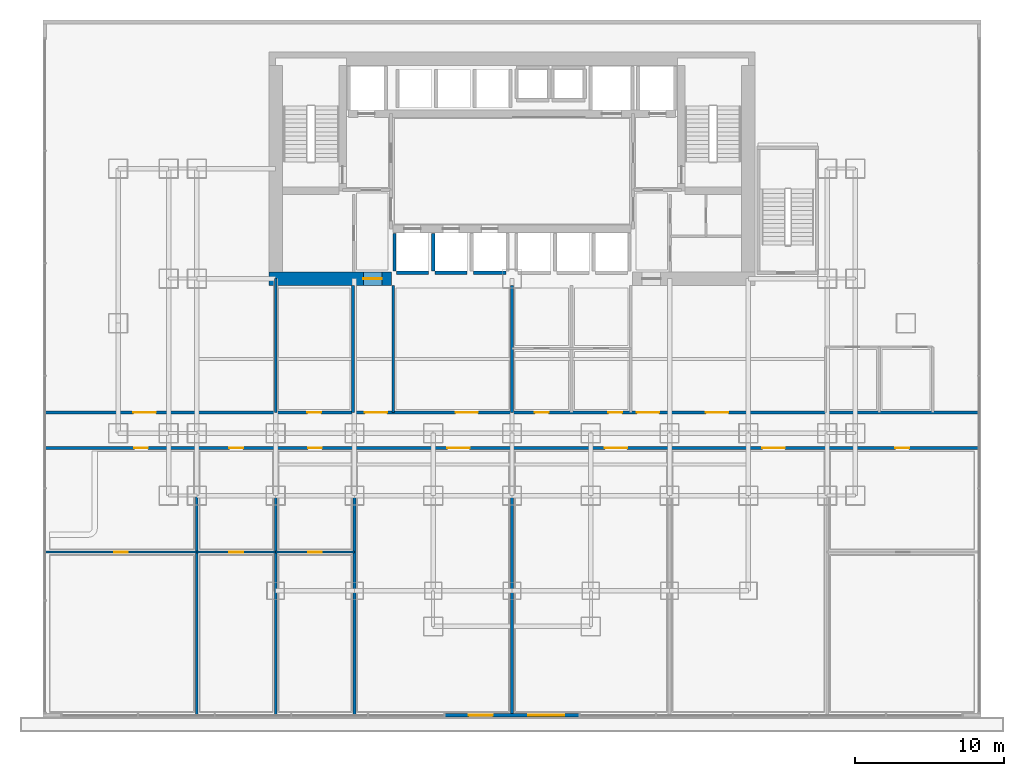
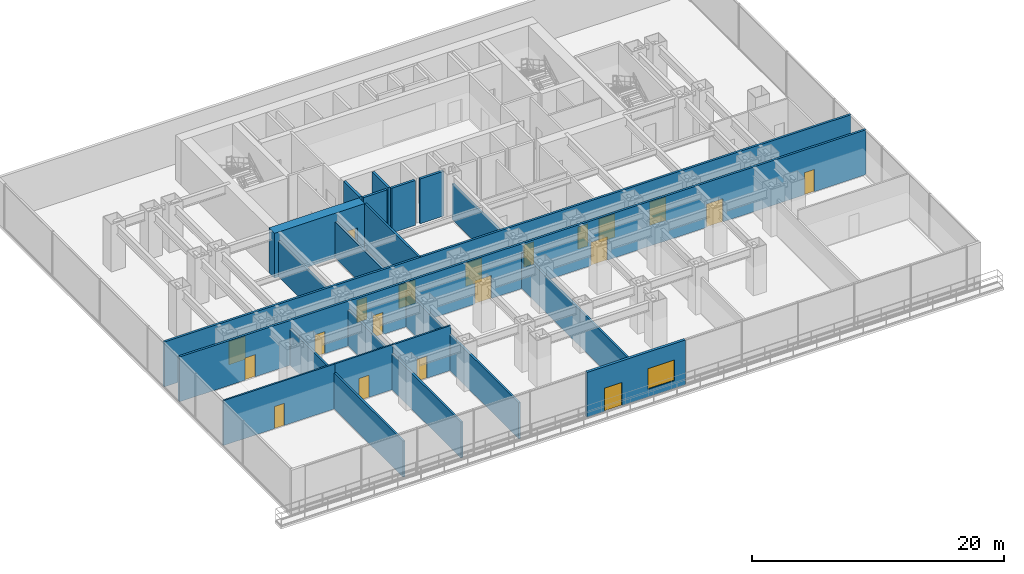
# One storey, part 8 of 13: 20 doors, 20 walls, 1 window, 21 openings.
"""IFC4 building model written with IfcOpenShell, lengths in metres."""

from ifc_helpers import new_model, si_unit, direction, frame, frame_2d, origin, place, context, subcontext, project, spatial, rectangle, extrude, material, layer, layer_set, type_object, element, fill, save


model = new_model("IFC4")

# Units and contexts
model_context = context("Model", 3, precision=1e-05, world=origin(), true_north=direction((0.0, 1.0)))
body_context = subcontext(model_context, "Body", "Model", "MODEL_VIEW")
ifc_project = project(units=[si_unit("LENGTHUNIT", "METRE"), si_unit("AREAUNIT", "SQUARE_METRE"), si_unit("VOLUMEUNIT", "CUBIC_METRE"), si_unit("PLANEANGLEUNIT", "RADIAN"), si_unit("MASSUNIT", "GRAM", prefix="KILO")], contexts=[model_context])

# Site, building, storey
site_placement = place(None, origin())
site = spatial("IfcSite", under=ifc_project, at=site_placement, CompositionType="ELEMENT")
building_placement = place(site_placement, origin())
building = spatial("IfcBuilding", under=site, at=building_placement, Name="Qianlan Lanfeng Residences", CompositionType="ELEMENT")
storey_placement = place(building_placement, frame((0.0, 0.0, 14.39990234375)))
storey = spatial("IfcBuildingStorey", under=building, at=storey_placement, Name="L03", CompositionType="ELEMENT", Elevation=14.39990234375)

# Wall, opening, door
ifc_material_1 = material(Name="Concrete C70", Category="concrete")
ifc_layer_1 = layer(ifc_material_1, 0.89990234375)
ifc_layer_set_1 = layer_set([ifc_layer_1], Name="Concrete C70")
wall_type_1 = type_object("IfcWallType", Name="CW-RC-900", PredefinedType="SHEAR", material=ifc_layer_set_1)
wall_1_placement = place(storey_placement, frame((10.14990234375, 25.199951171875, 0.0), z_axis=(0.0, 0.0, 1.0), x_axis=(1.0, 0.0, 0.0)))
wall_1 = element("IfcWall", 1, at=wall_1_placement, inside=storey, type_object=wall_type_1, Name="L03 Core Shear Wall SW", PredefinedType="SHEAR", context=body_context, shape_type="SweptSolid", body=[
    extrude(rectangle(XDim=8.25, YDim=0.89990234375, at=frame_2d((4.125, 0.0))), origin(), (0.0, 0.0, 1.0), 4.340087890625),
])
opening_1_placement = place(wall_1_placement, frame((6.35009765625, 0.0, 0.0)))
opening_1 = element("IfcOpeningElement", 2, at=opening_1_placement, cuts=wall_1, Name="Opening L03-D01", PredefinedType="OPENING", context=body_context, shape_type="SweptSolid", body=[
    extrude(rectangle(XDim=1.25, YDim=2.199951171875, at=frame_2d((0.625, 1.10009765625))), frame((0.0, 0.4599609375, 0.0), z_axis=(0.0, -1.0, 0.0), x_axis=(1.0, 0.0, 0.0)), (0.0, 0.0, 1.0), 0.919921875),
])
ifc_material_2 = material(Name="Painted Galvanised Steel Fire Door", Category="steel")
door_type_1 = type_object("IfcDoorType", Name="DT-FFL", OperationType="NOTDEFINED", PredefinedType="DOOR", material=ifc_material_2)
door_1_placement = place(opening_1_placement, frame((1.25, 0.0, 0.0), z_axis=(0.0, 0.0, 1.0), x_axis=(-1.0, 0.0, 0.0)))
door_1 = element("IfcDoor", 3, at=door_1_placement, inside=storey, type_object=door_type_1, Name="L03 West Core Lobby Smoke Door L03-D01 (DT-FFL)", OperationType="SINGLE_SWING_RIGHT", OverallHeight=2.199951171875, OverallWidth=1.25, PredefinedType="DOOR", context=body_context, shape_type="SweptSolid", body=[
    extrude(rectangle(XDim=1.25, YDim=2.199951171875, at=frame_2d((0.625, 1.10009765625))), frame((0.0, 0.02490234375, 0.0), z_axis=(0.0, -1.0, 0.0), x_axis=(1.0, 0.0, 0.0)), (0.0, 0.0, 1.0), 0.050048828125),
])
fill(opening_1, door_1)

# Wall, openings, door, window
ifc_material_3 = material(Name="Concrete C42", Category="concrete")
ifc_layer_2 = layer(ifc_material_3, 0.239990234375)
ifc_layer_set_2 = layer_set([ifc_layer_2], Name="Concrete C42")
wall_type_2 = type_object("IfcWallType", Name="EW-240", PredefinedType="SOLIDWALL", material=ifc_layer_set_2)
wall_2_placement = place(storey_placement, frame((22.0, -4.179931640625, 0.0), z_axis=(0.0, 0.0, 1.0), x_axis=(1.0, 0.0, 0.0)))
wall_2 = element("IfcWall", 4, at=wall_2_placement, inside=storey, type_object=wall_type_2, Name="L03 South Terrace Access Exterior Wall", PredefinedType="SOLIDWALL", context=body_context, shape_type="SweptSolid", body=[
    extrude(rectangle(XDim=9.0, YDim=0.239990234375, at=frame_2d((4.5, 0.0))), origin(), (0.0, 0.0, 1.0), 4.340087890625),
])
opening_2_placement = place(wall_2_placement, frame((1.60009765625, 0.0, 0.0)))
opening_2 = element("IfcOpeningElement", 5, at=opening_2_placement, cuts=wall_2, Name="Opening L03-D-TER1", PredefinedType="OPENING", context=body_context, shape_type="SweptSolid", body=[
    extrude(rectangle(XDim=1.60009765625, YDim=2.25, at=frame_2d((0.800048828125, 1.125))), frame((0.0, 0.1298828125, 0.0), z_axis=(0.0, -1.0, 0.0), x_axis=(1.0, 0.0, 0.0)), (0.0, 0.0, 1.0), 0.260009765625),
])
opening_3_placement = place(wall_2_placement, frame((5.60009765625, 0.0, 0.75)))
opening_3 = element("IfcOpeningElement", 6, at=opening_3_placement, cuts=wall_2, Name="Opening W-05", PredefinedType="OPENING", context=body_context, shape_type="SweptSolid", body=[
    extrude(rectangle(XDim=2.39990234375, YDim=2.0, at=frame_2d((1.199951171875, 1.0))), frame((0.0, 0.1298828125, 0.0), z_axis=(0.0, -1.0, 0.0), x_axis=(1.0, 0.0, 0.0)), (0.0, 0.0, 1.0), 0.260009765625),
])
ifc_material_4 = material(Name="Anodised Bronze Aluminium Framed Glass", Category="aluminium")
door_type_2 = type_object("IfcDoorType", Name="DT-TER1", OperationType="NOTDEFINED", PredefinedType="DOOR", material=ifc_material_4)
door_2_placement = place(opening_2_placement, frame((1.60009765625, 0.0, 0.0), z_axis=(0.0, 0.0, 1.0), x_axis=(-1.0, 0.0, 0.0)))
door_2 = element("IfcDoor", 7, at=door_2_placement, inside=storey, type_object=door_type_2, Name="L03 Planted Podium Terrace Door", OperationType="DOUBLE_DOOR_SINGLE_SWING", OverallHeight=2.25, OverallWidth=1.60009765625, PredefinedType="DOOR", context=body_context, shape_type="SweptSolid", body=[
    extrude(rectangle(XDim=1.60009765625, YDim=2.25, at=frame_2d((0.800048828125, 1.125))), frame((0.0, 0.02490234375, 0.0), z_axis=(0.0, -1.0, 0.0), x_axis=(1.0, 0.0, 0.0)), (0.0, 0.0, 1.0), 0.050048828125),
])
fill(opening_2, door_2)
ifc_material_5 = material(Name="Anodised Bronze Aluminium Framed Double Glazing", Category="aluminium")
window_type = type_object("IfcWindowType", Name="W-05", PartitioningType="SINGLE_PANEL", PredefinedType="WINDOW", material=ifc_material_5)
window_placement = place(opening_3_placement, origin())
window = element("IfcWindow", 8, at=window_placement, inside=storey, type_object=window_type, Name="L03 Podium Feature Window", OverallHeight=2.0, OverallWidth=2.39990234375, PartitioningType="SINGLE_PANEL", PredefinedType="WINDOW", context=body_context, shape_type="SweptSolid", body=[
    extrude(rectangle(XDim=2.39990234375, YDim=2.0, at=frame_2d((1.199951171875, 1.0))), frame((0.0, 0.030029296875, 0.0), z_axis=(0.0, -1.0, 0.0), x_axis=(1.0, 0.0, 0.0)), (0.0, 0.0, 1.0), 0.06005859375),
])
fill(opening_3, window)

# Wall, opening, door
ifc_material_6 = material(Name="Acoustic Drywall Partition 150 mm")
ifc_layer_3 = layer(ifc_material_6, 0.14990234375)
ifc_layer_set_3 = layer_set([ifc_layer_3], Name="Acoustic Drywall Partition 150 mm")
wall_type_3 = type_object("IfcWallType", Name="PW-150", PredefinedType="PARTITIONING", material=ifc_layer_set_3)
wall_3_placement = place(storey_placement, frame((-4.929931640625, 6.800048828125, 0.0), z_axis=(0.0, 0.0, 1.0), x_axis=(1.0, 0.0, 0.0)))
wall_3 = element("IfcWall", 9, at=wall_3_placement, inside=storey, type_object=wall_type_3, Name="L03 Executive Suite Inner Wall 1", PredefinedType="PARTITIONING", context=body_context, shape_type="SweptSolid", body=[
    extrude(rectangle(XDim=10.22998046875, YDim=0.14990234375, at=frame_2d((5.114990234375, 0.0))), origin(), (0.0, 0.0, 1.0), 4.340087890625),
])
opening_4_placement = place(wall_3_placement, frame((4.655029296875, 0.0, 0.0)))
opening_4 = element("IfcOpeningElement", 10, at=opening_4_placement, cuts=wall_3, Name="Opening L03-D16", PredefinedType="OPENING", context=body_context, shape_type="SweptSolid", body=[
    extrude(rectangle(XDim=0.919921875, YDim=2.14990234375, at=frame_2d((0.4599609375, 1.074951171875))), frame((0.0, 0.0849609375, 0.0), z_axis=(0.0, -1.0, 0.0), x_axis=(1.0, 0.0, 0.0)), (0.0, 0.0, 1.0), 0.169921875),
])
ifc_material_7 = material(Name="Glazed Timber Kitchen/Study Door", Category="wood")
door_type_3 = type_object("IfcDoorType", Name="DT-INT", OperationType="NOTDEFINED", PredefinedType="DOOR", material=ifc_material_7)
door_3_placement = place(opening_4_placement, origin())
door_3 = element("IfcDoor", 11, at=door_3_placement, inside=storey, type_object=door_type_3, Name="L03 Executive Salon 1 Door L03-D16 (DT-INT)", OperationType="SINGLE_SWING_RIGHT", OverallHeight=2.14990234375, OverallWidth=0.919921875, PredefinedType="DOOR", context=body_context, shape_type="SweptSolid", body=[
    extrude(rectangle(XDim=0.919921875, YDim=2.14990234375, at=frame_2d((0.4599609375, 1.074951171875))), frame((0.0, 0.02490234375, 0.0), z_axis=(0.0, -1.0, 0.0), x_axis=(1.0, 0.0, 0.0)), (0.0, 0.0, 1.0), 0.050048828125),
])
fill(opening_4, door_3)

wall_4_placement = place(storey_placement, frame((5.300048828125, 6.800048828125, 0.0), z_axis=(0.0, 0.0, 1.0), x_axis=(1.0, 0.0, 0.0)))
wall_4 = element("IfcWall", 12, at=wall_4_placement, inside=storey, type_object=wall_type_3, Name="L03 Executive Suite Inner Wall 2", PredefinedType="PARTITIONING", context=body_context, shape_type="SweptSolid", body=[
    extrude(rectangle(XDim=5.300048828125, YDim=0.14990234375, at=frame_2d((2.64990234375, 0.0))), origin(), (0.0, 0.0, 1.0), 4.340087890625),
])
opening_5_placement = place(wall_4_placement, frame((2.18994140625, 0.0, 0.0)))
opening_5 = element("IfcOpeningElement", 13, at=opening_5_placement, cuts=wall_4, Name="Opening L03-D17", PredefinedType="OPENING", context=body_context, shape_type="SweptSolid", body=[
    extrude(rectangle(XDim=0.919921875, YDim=2.14990234375, at=frame_2d((0.4599609375, 1.074951171875))), frame((0.0, 0.0849609375, 0.0), z_axis=(0.0, -1.0, 0.0), x_axis=(1.0, 0.0, 0.0)), (0.0, 0.0, 1.0), 0.169921875),
])
door_4_placement = place(opening_5_placement, origin())
door_4 = element("IfcDoor", 14, at=door_4_placement, inside=storey, type_object=door_type_3, Name="L03 Executive Salon 2 Door L03-D17 (DT-INT)", OperationType="SINGLE_SWING_LEFT", OverallHeight=2.14990234375, OverallWidth=0.919921875, PredefinedType="DOOR", context=body_context, shape_type="SweptSolid", body=[
    extrude(rectangle(XDim=0.919921875, YDim=2.14990234375, at=frame_2d((0.4599609375, 1.074951171875))), frame((0.0, 0.02490234375, 0.0), z_axis=(0.0, -1.0, 0.0), x_axis=(1.0, 0.0, 0.0)), (0.0, 0.0, 1.0), 0.050048828125),
])
fill(opening_5, door_4)

wall_5_placement = place(storey_placement, frame((10.60009765625, 6.800048828125, 0.0), z_axis=(0.0, 0.0, 1.0), x_axis=(1.0, 0.0, 0.0)))
wall_5 = element("IfcWall", 15, at=wall_5_placement, inside=storey, type_object=wall_type_3, Name="L03 Executive Suite Inner Wall 3", PredefinedType="PARTITIONING", context=body_context, shape_type="SweptSolid", body=[
    extrude(rectangle(XDim=5.2998046875, YDim=0.14990234375, at=frame_2d((2.64990234375, 0.0))), origin(), (0.0, 0.0, 1.0), 4.340087890625),
])
opening_6_placement = place(wall_5_placement, frame((2.18994140625, 0.0, 0.0)))
opening_6 = element("IfcOpeningElement", 16, at=opening_6_placement, cuts=wall_5, Name="Opening L03-D18", PredefinedType="OPENING", context=body_context, shape_type="SweptSolid", body=[
    extrude(rectangle(XDim=0.919921875, YDim=2.14990234375, at=frame_2d((0.4599609375, 1.074951171875))), frame((0.0, 0.0849609375, 0.0), z_axis=(0.0, -1.0, 0.0), x_axis=(1.0, 0.0, 0.0)), (0.0, 0.0, 1.0), 0.169921875),
])
door_5_placement = place(opening_6_placement, origin())
door_5 = element("IfcDoor", 17, at=door_5_placement, inside=storey, type_object=door_type_3, Name="L03 Executive Salon 3 Door L03-D18 (DT-INT)", OperationType="SINGLE_SWING_RIGHT", OverallHeight=2.14990234375, OverallWidth=0.919921875, PredefinedType="DOOR", context=body_context, shape_type="SweptSolid", body=[
    extrude(rectangle(XDim=0.919921875, YDim=2.14990234375, at=frame_2d((0.4599609375, 1.074951171875))), frame((0.0, 0.02490234375, 0.0), z_axis=(0.0, -1.0, 0.0), x_axis=(1.0, 0.0, 0.0)), (0.0, 0.0, 1.0), 0.050048828125),
])
fill(opening_6, door_5)

# Walls
ifc_material_8 = material(Name="Double-Layer Acoustic Gypsum Stud Wall 180 mm")
ifc_layer_4 = layer(ifc_material_8, 0.179931640625)
ifc_layer_set_4 = layer_set([ifc_layer_4], Name="Double-Layer Acoustic Gypsum Stud Wall 180 mm")
wall_type_4 = type_object("IfcWallType", Name="PW-180", PredefinedType="PARTITIONING", material=ifc_layer_set_4)
for number, where, z_axis, x_axis, name in (
    (18, (5.300048828125, -4.179931640625, 0.0), (0.0, 0.0, 1.0), (0.0, 1.0, 0.0), "L03 South Suite Partition 1"),
    (19, (10.60009765625, -4.179931640625, 0.0), (0.0, 0.0, 1.0), (0.0, 1.0, 0.0), "L03 South Suite Partition 2"),
    (20, (15.89990234375, -4.179931640625, 0.0), (0.0, 0.0, 1.0), (0.0, 1.0, 0.0), "L03 South Suite Partition 3"),
    (21, (26.5, -4.179931640625, 0.0), (0.0, 0.0, 1.0), (0.0, 1.0, 0.0), "L03 South Suite Partition 4"),
):
    element("IfcWall", number, at=place(storey_placement, frame(where, z_axis=z_axis, x_axis=x_axis)), inside=storey, type_object=wall_type_4, Name=name, PredefinedType="PARTITIONING", context=body_context, shape_type="SweptSolid", body=[
        extrude(rectangle(XDim=17.97998046875, YDim=0.179931640625, at=frame_2d((8.989990234375, 0.0))), origin(), (0.0, 0.0, 1.0), 3.485107421875),
    ])
wall_6_placement = place(storey_placement, frame((10.60009765625, 16.199951171875, 0.0), z_axis=(0.0, 0.0, 1.0), x_axis=(0.0, 1.0, 0.0)))
element("IfcWall", 22, at=wall_6_placement, inside=storey, type_object=wall_type_4, Name="L03 North Suite West Wall", PredefinedType="PARTITIONING", context=body_context, shape_type="SweptSolid", body=[
    extrude(rectangle(XDim=9.0, YDim=0.179931640625, at=frame_2d((4.5, 0.0))), origin(), (0.0, 0.0, 1.0), 3.485107421875),
])
wall_7_placement = place(storey_placement, frame((15.800048828125, 16.199951171875, 0.0), z_axis=(0.0, 0.0, 1.0), x_axis=(0.0, 1.0, 0.0)))
element("IfcWall", 23, at=wall_7_placement, inside=storey, type_object=wall_type_4, Name="L03 North Core West Passage Wall", PredefinedType="PARTITIONING", context=body_context, shape_type="SweptSolid", body=[
    extrude(rectangle(XDim=8.550048828125, YDim=0.179931640625, at=frame_2d((4.27490234375, 0.0))), origin(), (0.0, 0.0, 1.0), 3.485107421875),
])
wall_8_placement = place(storey_placement, frame((18.5, 16.199951171875, 0.0), z_axis=(0.0, 0.0, 1.0), x_axis=(0.0, 1.0, 0.0)))
element("IfcWall", 24, at=wall_8_placement, inside=storey, type_object=wall_type_4, Name="L03 North Central West Wall", PredefinedType="PARTITIONING", context=body_context, shape_type="SweptSolid", body=[
    extrude(rectangle(XDim=8.550048828125, YDim=0.179931640625, at=frame_2d((4.27490234375, 0.0))), origin(), (0.0, 0.0, 1.0), 4.340087890625),
])
wall_9_placement = place(storey_placement, frame((26.5, 16.199951171875, 0.0), z_axis=(0.0, 0.0, 1.0), x_axis=(0.0, 1.0, 0.0)))
element("IfcWall", 25, at=wall_9_placement, inside=storey, type_object=wall_type_4, Name="L03 North Central Mid Wall", PredefinedType="PARTITIONING", context=body_context, shape_type="SweptSolid", body=[
    extrude(rectangle(XDim=8.550048828125, YDim=0.179931640625, at=frame_2d((4.27490234375, 0.0))), origin(), (0.0, 0.0, 1.0), 3.485107421875),
])

# Wall, openings, doors
ifc_material_9 = material(Name="Autoclaved Aerated Concrete Blockwork 200 mm", Category="masonry")
ifc_layer_5 = layer(ifc_material_9, 0.199951171875)
ifc_layer_set_5 = layer_set([ifc_layer_5], Name="Autoclaved Aerated Concrete Blockwork 200 mm")
wall_type_5 = type_object("IfcWallType", Name="PW-200", PredefinedType="PARTITIONING", material=ifc_layer_set_5)
wall_10_placement = place(storey_placement, frame((-4.929931640625, 13.800048828125, 0.0), z_axis=(0.0, 0.0, 1.0), x_axis=(1.0, 0.0, 0.0)))
wall_10 = element("IfcWall", 26, at=wall_10_placement, inside=storey, type_object=wall_type_5, Name="L03 Double-Loaded Concourse South Wall", PredefinedType="PARTITIONING", context=body_context, shape_type="SweptSolid", body=[
    extrude(rectangle(XDim=62.85986328125, YDim=0.199951171875, at=frame_2d((31.429931640625, 0.0))), origin(), (0.0, 0.0, 1.0), 4.340087890625),
])
opening_7_placement = place(wall_10_placement, frame((6.02001953125, 0.0, 0.0)))
opening_7 = element("IfcOpeningElement", 27, at=opening_7_placement, cuts=wall_10, Name="Opening L03-D20", PredefinedType="OPENING", context=body_context, shape_type="SweptSolid", body=[
    extrude(rectangle(XDim=0.919921875, YDim=2.14990234375, at=frame_2d((0.4599609375, 1.074951171875))), frame((0.0, 0.10986328125, 0.0), z_axis=(0.0, -1.0, 0.0), x_axis=(1.0, 0.0, 0.0)), (0.0, 0.0, 1.0), 0.219970703125),
])
opening_8_placement = place(wall_10_placement, frame((12.419921875, 0.0, 0.0)))
opening_8 = element("IfcOpeningElement", 28, at=opening_8_placement, cuts=wall_10, Name="Opening L03-D21", PredefinedType="OPENING", context=body_context, shape_type="SweptSolid", body=[
    extrude(rectangle(XDim=0.919921875, YDim=2.14990234375, at=frame_2d((0.4599609375, 1.074951171875))), frame((0.0, 0.10986328125, 0.0), z_axis=(0.0, -1.0, 0.0), x_axis=(1.0, 0.0, 0.0)), (0.0, 0.0, 1.0), 0.219970703125),
])
opening_9_placement = place(wall_10_placement, frame((17.719970703125, 0.0, 0.0)))
opening_9 = element("IfcOpeningElement", 29, at=opening_9_placement, cuts=wall_10, Name="Opening L03-D22", PredefinedType="OPENING", context=body_context, shape_type="SweptSolid", body=[
    extrude(rectangle(XDim=0.919921875, YDim=2.14990234375, at=frame_2d((0.4599609375, 1.074951171875))), frame((0.0, 0.10986328125, 0.0), z_axis=(0.0, -1.0, 0.0), x_axis=(1.0, 0.0, 0.0)), (0.0, 0.0, 1.0), 0.219970703125),
])
opening_10_placement = place(wall_10_placement, frame((27.080078125, 0.0, 0.0)))
opening_10 = element("IfcOpeningElement", 30, at=opening_10_placement, cuts=wall_10, Name="Opening L03-D23", PredefinedType="OPENING", context=body_context, shape_type="SweptSolid", body=[
    extrude(rectangle(XDim=1.5, YDim=2.25, at=frame_2d((0.75, 1.125))), frame((0.0, 0.10986328125, 0.0), z_axis=(0.0, -1.0, 0.0), x_axis=(1.0, 0.0, 0.0)), (0.0, 0.0, 1.0), 0.219970703125),
])
opening_11_placement = place(wall_10_placement, frame((37.679931640625, 0.0, 0.0)))
opening_11 = element("IfcOpeningElement", 31, at=opening_11_placement, cuts=wall_10, Name="Opening L03-D24", PredefinedType="OPENING", context=body_context, shape_type="SweptSolid", body=[
    extrude(rectangle(XDim=1.5, YDim=2.25, at=frame_2d((0.75, 1.125))), frame((0.0, 0.10986328125, 0.0), z_axis=(0.0, -1.0, 0.0), x_axis=(1.0, 0.0, 0.0)), (0.0, 0.0, 1.0), 0.219970703125),
])
opening_12_placement = place(wall_10_placement, frame((48.280029296875, 0.0, 0.0)))
opening_12 = element("IfcOpeningElement", 32, at=opening_12_placement, cuts=wall_10, Name="Opening L03-D25", PredefinedType="OPENING", context=body_context, shape_type="SweptSolid", body=[
    extrude(rectangle(XDim=1.5, YDim=2.25, at=frame_2d((0.75, 1.125))), frame((0.0, 0.10986328125, 0.0), z_axis=(0.0, -1.0, 0.0), x_axis=(1.0, 0.0, 0.0)), (0.0, 0.0, 1.0), 0.219970703125),
])
opening_13_placement = place(wall_10_placement, frame((57.219970703125, 0.0, 0.0)))
opening_13 = element("IfcOpeningElement", 33, at=opening_13_placement, cuts=wall_10, Name="Opening L03-D26", PredefinedType="OPENING", context=body_context, shape_type="SweptSolid", body=[
    extrude(rectangle(XDim=0.919921875, YDim=2.14990234375, at=frame_2d((0.4599609375, 1.074951171875))), frame((0.0, 0.10986328125, 0.0), z_axis=(0.0, -1.0, 0.0), x_axis=(1.0, 0.0, 0.0)), (0.0, 0.0, 1.0), 0.219970703125),
])
ifc_material_10 = material(Name="Timber Veneer Acoustic Fire Door", Category="wood")
door_type_4 = type_object("IfcDoorType", Name="DT-COR1", OperationType="NOTDEFINED", PredefinedType="DOOR", material=ifc_material_10)
door_6_placement = place(opening_10_placement, frame((1.5, 0.0, 0.0), z_axis=(0.0, 0.0, 1.0), x_axis=(-1.0, 0.0, 0.0)))
door_6 = element("IfcDoor", 34, at=door_6_placement, inside=storey, type_object=door_type_4, Name="L03 Fitness Gymnasium Door L03-D23 (DT-COR1)", OperationType="DOUBLE_DOOR_SINGLE_SWING", OverallHeight=2.25, OverallWidth=1.5, PredefinedType="DOOR", context=body_context, shape_type="SweptSolid", body=[
    extrude(rectangle(XDim=1.5, YDim=2.25, at=frame_2d((0.75, 1.125))), frame((0.0, 0.02490234375, 0.0), z_axis=(0.0, -1.0, 0.0), x_axis=(1.0, 0.0, 0.0)), (0.0, 0.0, 1.0), 0.050048828125),
])
fill(opening_10, door_6)
door_7_placement = place(opening_11_placement, frame((1.5, 0.0, 0.0), z_axis=(0.0, 0.0, 1.0), x_axis=(-1.0, 0.0, 0.0)))
door_7 = element("IfcDoor", 35, at=door_7_placement, inside=storey, type_object=door_type_4, Name="L03 Sky Pool Lounge Door L03-D24 (DT-COR1)", OperationType="DOUBLE_DOOR_SINGLE_SWING", OverallHeight=2.25, OverallWidth=1.5, PredefinedType="DOOR", context=body_context, shape_type="SweptSolid", body=[
    extrude(rectangle(XDim=1.5, YDim=2.25, at=frame_2d((0.75, 1.125))), frame((0.0, 0.02490234375, 0.0), z_axis=(0.0, -1.0, 0.0), x_axis=(1.0, 0.0, 0.0)), (0.0, 0.0, 1.0), 0.050048828125),
])
fill(opening_11, door_7)
door_8_placement = place(opening_12_placement, frame((1.5, 0.0, 0.0), z_axis=(0.0, 0.0, 1.0), x_axis=(-1.0, 0.0, 0.0)))
door_8 = element("IfcDoor", 36, at=door_8_placement, inside=storey, type_object=door_type_4, Name="L03 Yoga Studio Door L03-D25 (DT-COR1)", OperationType="DOUBLE_DOOR_SINGLE_SWING", OverallHeight=2.25, OverallWidth=1.5, PredefinedType="DOOR", context=body_context, shape_type="SweptSolid", body=[
    extrude(rectangle(XDim=1.5, YDim=2.25, at=frame_2d((0.75, 1.125))), frame((0.0, 0.02490234375, 0.0), z_axis=(0.0, -1.0, 0.0), x_axis=(1.0, 0.0, 0.0)), (0.0, 0.0, 1.0), 0.050048828125),
])
fill(opening_12, door_8)
door_9_placement = place(opening_7_placement, origin())
door_9 = element("IfcDoor", 37, at=door_9_placement, inside=storey, type_object=door_type_3, Name="L03 Management Office Door L03-D20 (DT-INT)", OperationType="SINGLE_SWING_RIGHT", OverallHeight=2.14990234375, OverallWidth=0.919921875, PredefinedType="DOOR", context=body_context, shape_type="SweptSolid", body=[
    extrude(rectangle(XDim=0.919921875, YDim=2.14990234375, at=frame_2d((0.4599609375, 1.074951171875))), frame((0.0, 0.02490234375, 0.0), z_axis=(0.0, -1.0, 0.0), x_axis=(1.0, 0.0, 0.0)), (0.0, 0.0, 1.0), 0.050048828125),
])
fill(opening_7, door_9)
door_10_placement = place(opening_8_placement, origin())
door_10 = element("IfcDoor", 38, at=door_10_placement, inside=storey, type_object=door_type_3, Name="L03 Management Office Door L03-D21 (DT-INT)", OperationType="SINGLE_SWING_LEFT", OverallHeight=2.14990234375, OverallWidth=0.919921875, PredefinedType="DOOR", context=body_context, shape_type="SweptSolid", body=[
    extrude(rectangle(XDim=0.919921875, YDim=2.14990234375, at=frame_2d((0.4599609375, 1.074951171875))), frame((0.0, 0.02490234375, 0.0), z_axis=(0.0, -1.0, 0.0), x_axis=(1.0, 0.0, 0.0)), (0.0, 0.0, 1.0), 0.050048828125),
])
fill(opening_8, door_10)
door_11_placement = place(opening_9_placement, origin())
door_11 = element("IfcDoor", 39, at=door_11_placement, inside=storey, type_object=door_type_3, Name="L03 Management Office Door L03-D22 (DT-INT)", OperationType="SINGLE_SWING_RIGHT", OverallHeight=2.14990234375, OverallWidth=0.919921875, PredefinedType="DOOR", context=body_context, shape_type="SweptSolid", body=[
    extrude(rectangle(XDim=0.919921875, YDim=2.14990234375, at=frame_2d((0.4599609375, 1.074951171875))), frame((0.0, 0.02490234375, 0.0), z_axis=(0.0, -1.0, 0.0), x_axis=(1.0, 0.0, 0.0)), (0.0, 0.0, 1.0), 0.050048828125),
])
fill(opening_9, door_11)
door_12_placement = place(opening_13_placement, origin())
door_12 = element("IfcDoor", 40, at=door_12_placement, inside=storey, type_object=door_type_3, Name="L03 Management Office Door L03-D26 (DT-INT)", OperationType="SINGLE_SWING_RIGHT", OverallHeight=2.14990234375, OverallWidth=0.919921875, PredefinedType="DOOR", context=body_context, shape_type="SweptSolid", body=[
    extrude(rectangle(XDim=0.919921875, YDim=2.14990234375, at=frame_2d((0.4599609375, 1.074951171875))), frame((0.0, 0.02490234375, 0.0), z_axis=(0.0, -1.0, 0.0), x_axis=(1.0, 0.0, 0.0)), (0.0, 0.0, 1.0), 0.050048828125),
])
fill(opening_13, door_12)

wall_11_placement = place(storey_placement, frame((-4.929931640625, 16.199951171875, 0.0), z_axis=(0.0, 0.0, 1.0), x_axis=(1.0, 0.0, 0.0)))
wall_11 = element("IfcWall", 41, at=wall_11_placement, inside=storey, type_object=wall_type_5, Name="L03 Double-Loaded Concourse North Wall", PredefinedType="PARTITIONING", context=body_context, shape_type="SweptSolid", body=[
    extrude(rectangle(XDim=62.85986328125, YDim=0.199951171875, at=frame_2d((31.429931640625, 0.0))), origin(), (0.0, 0.0, 1.0), 4.340087890625),
])
opening_14_placement = place(wall_11_placement, frame((17.669921875, 0.0, 0.0)))
opening_14 = element("IfcOpeningElement", 42, at=opening_14_placement, cuts=wall_11, Name="Opening L03-D29", PredefinedType="OPENING", context=body_context, shape_type="SweptSolid", body=[
    extrude(rectangle(XDim=0.919921875, YDim=2.14990234375, at=frame_2d((0.4599609375, 1.074951171875))), frame((0.0, 0.10986328125, 0.0), z_axis=(0.0, -1.0, 0.0), x_axis=(1.0, 0.0, 0.0)), (0.0, 0.0, 1.0), 0.219970703125),
])
opening_15_placement = place(wall_11_placement, frame((21.530029296875, 0.0, 0.0)))
opening_15 = element("IfcOpeningElement", 43, at=opening_15_placement, cuts=wall_11, Name="Opening L03-D30", PredefinedType="OPENING", context=body_context, shape_type="SweptSolid", body=[
    extrude(rectangle(XDim=1.5, YDim=2.25, at=frame_2d((0.75, 1.125))), frame((0.0, 0.10986328125, 0.0), z_axis=(0.0, -1.0, 0.0), x_axis=(1.0, 0.0, 0.0)), (0.0, 0.0, 1.0), 0.219970703125),
])
opening_16_placement = place(wall_11_placement, frame((27.6298828125, 0.0, 0.0)))
opening_16 = element("IfcOpeningElement", 44, at=opening_16_placement, cuts=wall_11, Name="Opening L03-D31", PredefinedType="OPENING", context=body_context, shape_type="SweptSolid", body=[
    extrude(rectangle(XDim=1.5, YDim=2.25, at=frame_2d((0.75, 1.125))), frame((0.0, 0.10986328125, 0.0), z_axis=(0.0, -1.0, 0.0), x_axis=(1.0, 0.0, 0.0)), (0.0, 0.0, 1.0), 0.219970703125),
])
opening_17_placement = place(wall_11_placement, frame((32.969970703125, 0.0, 0.0)))
opening_17 = element("IfcOpeningElement", 45, at=opening_17_placement, cuts=wall_11, Name="Opening L03-D32", PredefinedType="OPENING", context=body_context, shape_type="SweptSolid", body=[
    extrude(rectangle(XDim=0.919921875, YDim=2.14990234375, at=frame_2d((0.4599609375, 1.074951171875))), frame((0.0, 0.10986328125, 0.0), z_axis=(0.0, -1.0, 0.0), x_axis=(1.0, 0.0, 0.0)), (0.0, 0.0, 1.0), 0.219970703125),
])
opening_18_placement = place(wall_11_placement, frame((37.919921875, 0.0, 0.0)))
opening_18 = element("IfcOpeningElement", 46, at=opening_18_placement, cuts=wall_11, Name="Opening L03-D33", PredefinedType="OPENING", context=body_context, shape_type="SweptSolid", body=[
    extrude(rectangle(XDim=0.919921875, YDim=2.14990234375, at=frame_2d((0.4599609375, 1.074951171875))), frame((0.0, 0.10986328125, 0.0), z_axis=(0.0, -1.0, 0.0), x_axis=(1.0, 0.0, 0.0)), (0.0, 0.0, 1.0), 0.219970703125),
])
opening_19_placement = place(wall_11_placement, frame((39.830078125, 0.0, 0.0)))
opening_19 = element("IfcOpeningElement", 47, at=opening_19_placement, cuts=wall_11, Name="Opening L03-D34", PredefinedType="OPENING", context=body_context, shape_type="SweptSolid", body=[
    extrude(rectangle(XDim=1.5, YDim=2.25, at=frame_2d((0.75, 1.125))), frame((0.0, 0.10986328125, 0.0), z_axis=(0.0, -1.0, 0.0), x_axis=(1.0, 0.0, 0.0)), (0.0, 0.0, 1.0), 0.219970703125),
])
opening_20_placement = place(wall_11_placement, frame((44.47998046875, 0.0, 0.0)))
opening_20 = element("IfcOpeningElement", 48, at=opening_20_placement, cuts=wall_11, Name="Opening L03-D35", PredefinedType="OPENING", context=body_context, shape_type="SweptSolid", body=[
    extrude(rectangle(XDim=1.5, YDim=2.25, at=frame_2d((0.75, 1.125))), frame((0.0, 0.10986328125, 0.0), z_axis=(0.0, -1.0, 0.0), x_axis=(1.0, 0.0, 0.0)), (0.0, 0.0, 1.0), 0.219970703125),
])
opening_21_placement = place(wall_11_placement, frame((5.965087890625, 0.0, 0.0)))
opening_21 = element("IfcOpeningElement", 49, at=opening_21_placement, cuts=wall_11, Name="Opening L03-D36", PredefinedType="OPENING", context=body_context, shape_type="SweptSolid", body=[
    extrude(rectangle(XDim=1.5, YDim=2.25, at=frame_2d((0.75, 1.125))), frame((0.0, 0.10986328125, 0.0), z_axis=(0.0, -1.0, 0.0), x_axis=(1.0, 0.0, 0.0)), (0.0, 0.0, 1.0), 0.219970703125),
])
door_13_placement = place(opening_15_placement, frame((1.5, 0.0, 0.0), z_axis=(0.0, 0.0, 1.0), x_axis=(-1.0, 0.0, 0.0)))
door_13 = element("IfcDoor", 50, at=door_13_placement, inside=storey, type_object=door_type_4, Name="L03 West Core Concourse Portal L03-D30 (DT-COR1)", OperationType="DOUBLE_DOOR_SINGLE_SWING", OverallHeight=2.25, OverallWidth=1.5, PredefinedType="DOOR", context=body_context, shape_type="SweptSolid", body=[
    extrude(rectangle(XDim=1.5, YDim=2.25, at=frame_2d((0.75, 1.125))), frame((0.0, 0.02490234375, 0.0), z_axis=(0.0, -1.0, 0.0), x_axis=(1.0, 0.0, 0.0)), (0.0, 0.0, 1.0), 0.050048828125),
])
fill(opening_15, door_13)
door_14_placement = place(opening_16_placement, origin())
door_14 = element("IfcDoor", 51, at=door_14_placement, inside=storey, type_object=door_type_4, Name="L03 Private Cinema Room Door L03-D31 (DT-COR1)", OperationType="DOUBLE_DOOR_SINGLE_SWING", OverallHeight=2.25, OverallWidth=1.5, PredefinedType="DOOR", context=body_context, shape_type="SweptSolid", body=[
    extrude(rectangle(XDim=1.5, YDim=2.25, at=frame_2d((0.75, 1.125))), frame((0.0, 0.02490234375, 0.0), z_axis=(0.0, -1.0, 0.0), x_axis=(1.0, 0.0, 0.0)), (0.0, 0.0, 1.0), 0.050048828125),
])
fill(opening_16, door_14)
door_15_placement = place(opening_19_placement, frame((1.5, 0.0, 0.0), z_axis=(0.0, 0.0, 1.0), x_axis=(-1.0, 0.0, 0.0)))
door_15 = element("IfcDoor", 52, at=door_15_placement, inside=storey, type_object=door_type_4, Name="L03 East Core Concourse Portal L03-D34 (DT-COR1)", OperationType="DOUBLE_DOOR_SINGLE_SWING", OverallHeight=2.25, OverallWidth=1.5, PredefinedType="DOOR", context=body_context, shape_type="SweptSolid", body=[
    extrude(rectangle(XDim=1.5, YDim=2.25, at=frame_2d((0.75, 1.125))), frame((0.0, 0.02490234375, 0.0), z_axis=(0.0, -1.0, 0.0), x_axis=(1.0, 0.0, 0.0)), (0.0, 0.0, 1.0), 0.050048828125),
])
fill(opening_19, door_15)
door_16_placement = place(opening_20_placement, origin())
door_16 = element("IfcDoor", 53, at=door_16_placement, inside=storey, type_object=door_type_4, Name="L03 East Concourse Portal L03-D35 (DT-COR1)", OperationType="DOUBLE_DOOR_SINGLE_SWING", OverallHeight=2.25, OverallWidth=1.5, PredefinedType="DOOR", context=body_context, shape_type="SweptSolid", body=[
    extrude(rectangle(XDim=1.5, YDim=2.25, at=frame_2d((0.75, 1.125))), frame((0.0, 0.02490234375, 0.0), z_axis=(0.0, -1.0, 0.0), x_axis=(1.0, 0.0, 0.0)), (0.0, 0.0, 1.0), 0.050048828125),
])
fill(opening_20, door_16)
door_17_placement = place(opening_21_placement, origin())
door_17 = element("IfcDoor", 54, at=door_17_placement, inside=storey, type_object=door_type_4, Name="L03 West Concourse Portal L03-D36 (DT-COR1)", OperationType="DOUBLE_DOOR_SINGLE_SWING", OverallHeight=2.25, OverallWidth=1.5, PredefinedType="DOOR", context=body_context, shape_type="SweptSolid", body=[
    extrude(rectangle(XDim=1.5, YDim=2.25, at=frame_2d((0.75, 1.125))), frame((0.0, 0.02490234375, 0.0), z_axis=(0.0, -1.0, 0.0), x_axis=(1.0, 0.0, 0.0)), (0.0, 0.0, 1.0), 0.050048828125),
])
fill(opening_21, door_17)
door_18_placement = place(opening_14_placement, origin())
door_18 = element("IfcDoor", 55, at=door_18_placement, inside=storey, type_object=door_type_3, Name="L03 Boardroom Suite Door L03-D29 (DT-INT)", OperationType="SINGLE_SWING_LEFT", OverallHeight=2.14990234375, OverallWidth=0.919921875, PredefinedType="DOOR", context=body_context, shape_type="SweptSolid", body=[
    extrude(rectangle(XDim=0.919921875, YDim=2.14990234375, at=frame_2d((0.4599609375, 1.074951171875))), frame((0.0, 0.02490234375, 0.0), z_axis=(0.0, -1.0, 0.0), x_axis=(1.0, 0.0, 0.0)), (0.0, 0.0, 1.0), 0.050048828125),
])
fill(opening_14, door_18)
door_19_placement = place(opening_17_placement, origin())
door_19 = element("IfcDoor", 56, at=door_19_placement, inside=storey, type_object=door_type_3, Name="L03 Catering Kitchen 1 Door L03-D32 (DT-INT)", OperationType="SINGLE_SWING_RIGHT", OverallHeight=2.14990234375, OverallWidth=0.919921875, PredefinedType="DOOR", context=body_context, shape_type="SweptSolid", body=[
    extrude(rectangle(XDim=0.919921875, YDim=2.14990234375, at=frame_2d((0.4599609375, 1.074951171875))), frame((0.0, 0.02490234375, 0.0), z_axis=(0.0, -1.0, 0.0), x_axis=(1.0, 0.0, 0.0)), (0.0, 0.0, 1.0), 0.050048828125),
])
fill(opening_17, door_19)
door_20_placement = place(opening_18_placement, origin())
door_20 = element("IfcDoor", 57, at=door_20_placement, inside=storey, type_object=door_type_3, Name="L03 Business Meeting Room Door L03-D33 (DT-INT)", OperationType="SINGLE_SWING_LEFT", OverallHeight=2.14990234375, OverallWidth=0.919921875, PredefinedType="DOOR", context=body_context, shape_type="SweptSolid", body=[
    extrude(rectangle(XDim=0.919921875, YDim=2.14990234375, at=frame_2d((0.4599609375, 1.074951171875))), frame((0.0, 0.02490234375, 0.0), z_axis=(0.0, -1.0, 0.0), x_axis=(1.0, 0.0, 0.0)), (0.0, 0.0, 1.0), 0.050048828125),
])
fill(opening_18, door_20)

# Walls
ifc_material_11 = material(Name="Concrete C49", Category="concrete")
ifc_layer_6 = layer(ifc_material_11, 0.219970703125)
ifc_layer_set_6 = layer_set([ifc_layer_6], Name="Concrete C49")
wall_type_6 = type_object("IfcWallType", Name="SHW-220", PredefinedType="SOLIDWALL", material=ifc_layer_set_6)
wall_12_placement = place(storey_placement, frame((18.60009765625, 25.719970703125, 0.0), z_axis=(0.0, 0.0, 1.0), x_axis=(0.0, 1.0, 0.0)))
element("IfcWall", 58, at=wall_12_placement, inside=storey, type_object=wall_type_6, Name="L03 Lift PL-L1 Shaft Wall W", PredefinedType="SOLIDWALL", context=body_context, shape_type="SweptSolid", body=[
    extrude(rectangle(XDim=2.530029296875, YDim=0.219970703125, at=frame_2d((1.26513671875, 0.0))), origin(), (0.0, 0.0, 1.0), 4.340087890625),
])
wall_13_placement = place(storey_placement, frame((18.719970703125, 25.60009765625, 0.0), z_axis=(0.0, 0.0, 1.0), x_axis=(1.0, 0.0, 0.0)))
element("IfcWall", 59, at=wall_13_placement, inside=storey, type_object=wall_type_6, Name="L03 Lift PL-L1 Shaft Back Wall S", PredefinedType="SOLIDWALL", context=body_context, shape_type="SweptSolid", body=[
    extrude(rectangle(XDim=2.159912109375, YDim=0.219970703125, at=frame_2d((1.080078125, 0.0))), origin(), (0.0, 0.0, 1.0), 4.340087890625),
])
wall_14_placement = place(storey_placement, frame((21.199951171875, 25.719970703125, 0.0), z_axis=(0.0, 0.0, 1.0), x_axis=(0.0, 1.0, 0.0)))
element("IfcWall", 60, at=wall_14_placement, inside=storey, type_object=wall_type_6, Name="L03 Lift PL-L2 Shaft Wall W", PredefinedType="SOLIDWALL", context=body_context, shape_type="SweptSolid", body=[
    extrude(rectangle(XDim=2.530029296875, YDim=0.219970703125, at=frame_2d((1.26513671875, 0.0))), origin(), (0.0, 0.0, 1.0), 4.340087890625),
])
wall_15_placement = place(storey_placement, frame((21.320068359375, 25.60009765625, 0.0), z_axis=(0.0, 0.0, 1.0), x_axis=(1.0, 0.0, 0.0)))
element("IfcWall", 61, at=wall_15_placement, inside=storey, type_object=wall_type_6, Name="L03 Lift PL-L2 Shaft Back Wall S", PredefinedType="SOLIDWALL", context=body_context, shape_type="SweptSolid", body=[
    extrude(rectangle(XDim=2.159912109375, YDim=0.219970703125, at=frame_2d((1.080078125, 0.0))), origin(), (0.0, 0.0, 1.0), 4.340087890625),
])
wall_16_placement = place(storey_placement, frame((23.919921875, 25.60009765625, 0.0), z_axis=(0.0, 0.0, 1.0), x_axis=(1.0, 0.0, 0.0)))
element("IfcWall", 62, at=wall_16_placement, inside=storey, type_object=wall_type_6, Name="L03 Lift PL-L3 Shaft Back Wall S", PredefinedType="SOLIDWALL", context=body_context, shape_type="SweptSolid", body=[
    extrude(rectangle(XDim=2.16015625, YDim=0.219970703125, at=frame_2d((1.080078125, 0.0))), origin(), (0.0, 0.0, 1.0), 4.340087890625),
])

save(model, "model.ifc")
